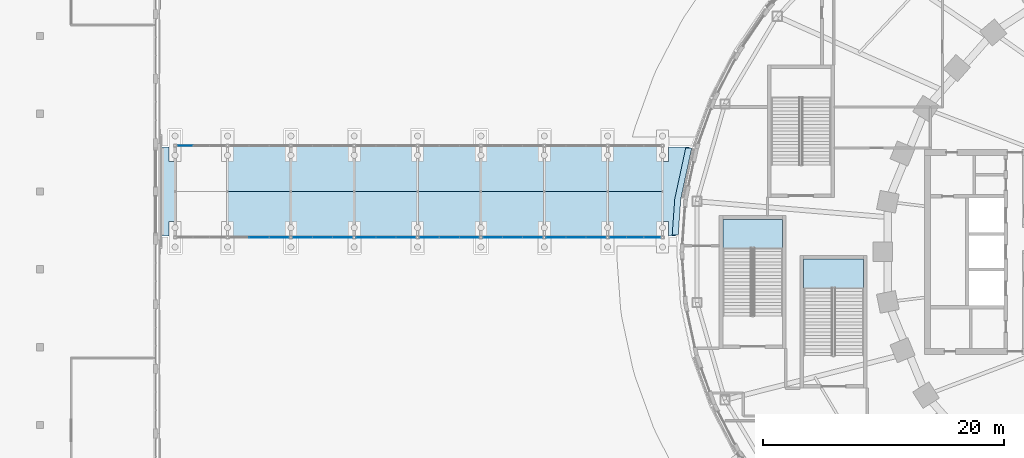
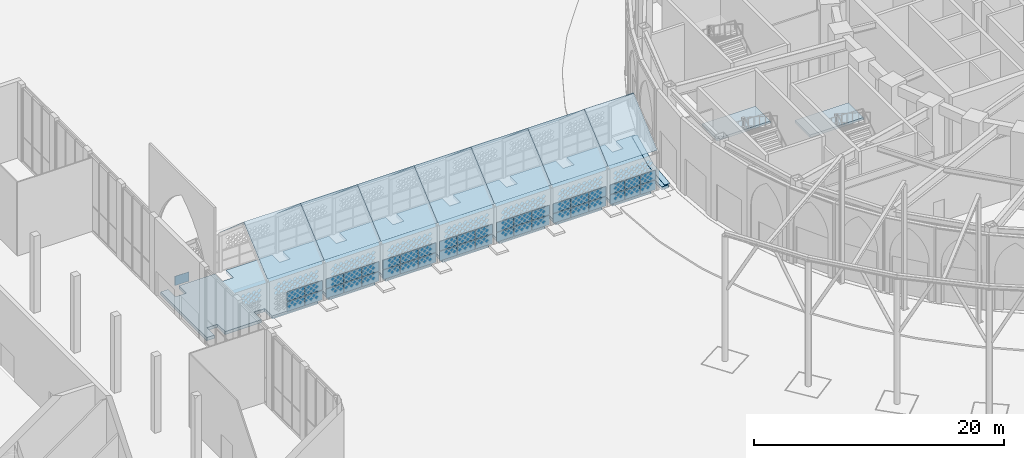
# One storey, part 34 of 79: 42 plates, 17 slabs, 10 elements without a shape of their own.
"""IFC4 building model written with IfcOpenShell, lengths in metres."""

from ifc_helpers import new_model, si_unit, direction, frame, origin, origin_2d, place, context, subcontext, project, spatial, polyline, rectangle, outline, extrude, material, layer, layer_set, type_object, element, aggregate, save


model = new_model("IFC4")

# Units and contexts
model_context = context("Model", 3, precision=1e-05, world=origin(), true_north=direction((0.0, 1.0)))
body_context = subcontext(model_context, "Body", "Model", "MODEL_VIEW")
ifc_project = project(units=[si_unit("LENGTHUNIT", "METRE"), si_unit("AREAUNIT", "SQUARE_METRE"), si_unit("VOLUMEUNIT", "CUBIC_METRE"), si_unit("PLANEANGLEUNIT", "RADIAN"), si_unit("MASSUNIT", "GRAM", prefix="KILO")], contexts=[model_context])

# Site, building, storey
site_placement = place(None, origin())
site = spatial("IfcSite", under=ifc_project, at=site_placement, CompositionType="ELEMENT")
building_placement = place(site_placement, origin())
building = spatial("IfcBuilding", under=site, at=building_placement, Name="Noorbagh Ring Tower", CompositionType="ELEMENT")
storey_placement = place(building_placement, origin())
storey = spatial("IfcBuildingStorey", under=building, at=storey_placement, Name="L00", CompositionType="ELEMENT", Elevation=0.0)

# Plate
ifc_material_1 = material(Name="Stainless steel cover plate", Category="steel")
ifc_layer_1 = layer(ifc_material_1, 0.014892578125)
ifc_layer_set_1 = layer_set([ifc_layer_1], Name="Stainless steel cover plate")
plate_type_1 = type_object("IfcPlateType", Name="AR-COVER", PredefinedType="SHEET", material=ifc_layer_set_1)
plate_1_placement = place(storey_placement, origin())
element("IfcPlate", 1, at=plate_1_placement, inside=storey, type_object=plate_type_1, Name="Movement joint cover plate east", PredefinedType="SHEET", context=body_context, shape_type="SweptSolid", body=[
    extrude(outline(polyline([(-52.18701171875, 4.383056640625), (-51.2783203125, 8.60009765625), (-50.7783203125, 8.60009765625), (-51.68701171875, 4.383056640625), (-51.89990234375, 1.39990234375), (-52.39990234375, 1.39990234375), (-52.18701171875, 4.383056640625)])), origin(), (0.0, 0.0, 1.0), 0.014892578125),
])

# Curtain wall, plate
ifc_material_2 = material(Name="Aluminium and glass", Category="aluminium")
ifc_layer_2 = layer(ifc_material_2, 0.10009765625)
ifc_layer_set_2 = layer_set([ifc_layer_2], Name="Aluminium and glass")
curtain_wall_type = type_object("IfcCurtainWallType", Name="AR-CW", PredefinedType="NOTDEFINED", material=ifc_layer_set_2)
curtain_wall_1_placement = place(storey_placement, origin())
curtain_wall_1 = element("IfcCurtainWall", 2, at=curtain_wall_1_placement, inside=storey, type_object=curtain_wall_type, Name="Arcade glazing", PredefinedType="NOTDEFINED")
ifc_material_3 = material(Name="Clear laminated glass", Category="glass")
ifc_layer_3 = layer(ifc_material_3, 0.02392578125)
ifc_layer_set_3 = layer_set([ifc_layer_3], Name="Clear laminated glass")
plate_type_2 = type_object("IfcPlateType", Name="AR-CW-PANEL", PredefinedType="CURTAIN_PANEL", material=ifc_layer_set_3)
plate_2_placement = place(storey_placement, frame((-92.779052734375, 8.800048828125, 0.0498046875), z_axis=(0.0, 0.0, 1.0), x_axis=(1.0, 0.0, 0.0)))
plate_2 = element("IfcPlate", 3, at=plate_2_placement, type_object=plate_type_2, Name="CW-A panel 1.1", PredefinedType="CURTAIN_PANEL", context=body_context, shape_type="SweptSolid", body=[
    extrude(rectangle(XDim=1.291748046875, YDim=0.02392578125, at=origin_2d()), origin(), (0.0, 0.0, 1.0), 0.925048828125),
])
aggregate(curtain_wall_1, [plate_2])

# Curtain wall, plates
curtain_wall_2_placement = place(storey_placement, origin())
curtain_wall_2 = element("IfcCurtainWall", 4, at=curtain_wall_2_placement, inside=storey, type_object=curtain_wall_type, Name="Arcade glazing", PredefinedType="NOTDEFINED")
plate_3_placement = place(storey_placement, frame((-86.625, 1.199951171875, 0.0498046875), z_axis=(0.0, 0.0, 1.0), x_axis=(1.0, 0.0, 0.0)))
plate_3 = element("IfcPlate", 5, at=plate_3_placement, type_object=plate_type_2, Name="CW-A panel 2.1", PredefinedType="CURTAIN_PANEL", context=body_context, shape_type="SweptSolid", body=[
    extrude(rectangle(XDim=1.61669921875, YDim=0.02392578125, at=origin_2d()), origin(), (0.0, 0.0, 1.0), 0.925048828125),
])
plate_4_placement = place(storey_placement, frame((-86.625, 1.199951171875, 1.02490234375), z_axis=(0.0, 0.0, 1.0), x_axis=(1.0, 0.0, 0.0)))
plate_4 = element("IfcPlate", 6, at=plate_4_placement, type_object=plate_type_2, Name="CW-A panel 2.2", PredefinedType="CURTAIN_PANEL", context=body_context, shape_type="SweptSolid", body=[
    extrude(rectangle(XDim=1.61669921875, YDim=0.02392578125, at=origin_2d()), origin(), (0.0, 0.0, 1.0), 0.925048828125),
])
plate_5_placement = place(storey_placement, frame((-84.970947265625, 1.199951171875, 0.0498046875), z_axis=(0.0, 0.0, 1.0), x_axis=(1.0, 0.0, 0.0)))
plate_5 = element("IfcPlate", 7, at=plate_5_placement, type_object=plate_type_2, Name="CW-A panel 3.1", PredefinedType="CURTAIN_PANEL", context=body_context, shape_type="SweptSolid", body=[
    extrude(rectangle(XDim=1.591552734375, YDim=0.02392578125, at=origin_2d()), origin(), (0.0, 0.0, 1.0), 0.925048828125),
])
plate_6_placement = place(storey_placement, frame((-84.970947265625, 1.199951171875, 1.02490234375), z_axis=(0.0, 0.0, 1.0), x_axis=(1.0, 0.0, 0.0)))
plate_6 = element("IfcPlate", 8, at=plate_6_placement, type_object=plate_type_2, Name="CW-A panel 3.2", PredefinedType="CURTAIN_PANEL", context=body_context, shape_type="SweptSolid", body=[
    extrude(rectangle(XDim=1.591552734375, YDim=0.02392578125, at=origin_2d()), origin(), (0.0, 0.0, 1.0), 0.925048828125),
])
aggregate(curtain_wall_2, [plate_3, plate_4, plate_5, plate_6])

curtain_wall_3_placement = place(storey_placement, origin())
curtain_wall_3 = element("IfcCurtainWall", 9, at=curtain_wall_3_placement, inside=storey, type_object=curtain_wall_type, Name="Arcade glazing", PredefinedType="NOTDEFINED")
plate_7_placement = place(storey_placement, frame((-83.029052734375, 1.199951171875, 0.0498046875), z_axis=(0.0, 0.0, 1.0), x_axis=(1.0, 0.0, 0.0)))
plate_7 = element("IfcPlate", 10, at=plate_7_placement, type_object=plate_type_2, Name="CW-A panel 1.1", PredefinedType="CURTAIN_PANEL", context=body_context, shape_type="SweptSolid", body=[
    extrude(rectangle(XDim=1.591552734375, YDim=0.02392578125, at=origin_2d()), origin(), (0.0, 0.0, 1.0), 0.925048828125),
])
plate_8_placement = place(storey_placement, frame((-83.029052734375, 1.199951171875, 1.02490234375), z_axis=(0.0, 0.0, 1.0), x_axis=(1.0, 0.0, 0.0)))
plate_8 = element("IfcPlate", 11, at=plate_8_placement, type_object=plate_type_2, Name="CW-A panel 1.2", PredefinedType="CURTAIN_PANEL", context=body_context, shape_type="SweptSolid", body=[
    extrude(rectangle(XDim=1.591552734375, YDim=0.02392578125, at=origin_2d()), origin(), (0.0, 0.0, 1.0), 0.925048828125),
])
plate_9_placement = place(storey_placement, frame((-81.375, 1.199951171875, 0.0498046875), z_axis=(0.0, 0.0, 1.0), x_axis=(1.0, 0.0, 0.0)))
plate_9 = element("IfcPlate", 12, at=plate_9_placement, type_object=plate_type_2, Name="CW-A panel 2.1", PredefinedType="CURTAIN_PANEL", context=body_context, shape_type="SweptSolid", body=[
    extrude(rectangle(XDim=1.61669921875, YDim=0.02392578125, at=origin_2d()), origin(), (0.0, 0.0, 1.0), 0.925048828125),
])
plate_10_placement = place(storey_placement, frame((-81.375, 1.199951171875, 1.02490234375), z_axis=(0.0, 0.0, 1.0), x_axis=(1.0, 0.0, 0.0)))
plate_10 = element("IfcPlate", 13, at=plate_10_placement, type_object=plate_type_2, Name="CW-A panel 2.2", PredefinedType="CURTAIN_PANEL", context=body_context, shape_type="SweptSolid", body=[
    extrude(rectangle(XDim=1.61669921875, YDim=0.02392578125, at=origin_2d()), origin(), (0.0, 0.0, 1.0), 0.925048828125),
])
plate_11_placement = place(storey_placement, frame((-79.720947265625, 1.199951171875, 0.0498046875), z_axis=(0.0, 0.0, 1.0), x_axis=(1.0, 0.0, 0.0)))
plate_11 = element("IfcPlate", 14, at=plate_11_placement, type_object=plate_type_2, Name="CW-A panel 3.1", PredefinedType="CURTAIN_PANEL", context=body_context, shape_type="SweptSolid", body=[
    extrude(rectangle(XDim=1.591552734375, YDim=0.02392578125, at=origin_2d()), origin(), (0.0, 0.0, 1.0), 0.925048828125),
])
plate_12_placement = place(storey_placement, frame((-79.720947265625, 1.199951171875, 1.02490234375), z_axis=(0.0, 0.0, 1.0), x_axis=(1.0, 0.0, 0.0)))
plate_12 = element("IfcPlate", 15, at=plate_12_placement, type_object=plate_type_2, Name="CW-A panel 3.2", PredefinedType="CURTAIN_PANEL", context=body_context, shape_type="SweptSolid", body=[
    extrude(rectangle(XDim=1.591552734375, YDim=0.02392578125, at=origin_2d()), origin(), (0.0, 0.0, 1.0), 0.925048828125),
])
aggregate(curtain_wall_3, [plate_7, plate_8, plate_9, plate_10, plate_11, plate_12])

curtain_wall_4_placement = place(storey_placement, origin())
curtain_wall_4 = element("IfcCurtainWall", 16, at=curtain_wall_4_placement, inside=storey, type_object=curtain_wall_type, Name="Arcade glazing", PredefinedType="NOTDEFINED")
plate_13_placement = place(storey_placement, frame((-77.779052734375, 1.199951171875, 0.0498046875), z_axis=(0.0, 0.0, 1.0), x_axis=(1.0, 0.0, 0.0)))
plate_13 = element("IfcPlate", 17, at=plate_13_placement, type_object=plate_type_2, Name="CW-A panel 1.1", PredefinedType="CURTAIN_PANEL", context=body_context, shape_type="SweptSolid", body=[
    extrude(rectangle(XDim=1.591552734375, YDim=0.02392578125, at=origin_2d()), origin(), (0.0, 0.0, 1.0), 0.925048828125),
])
plate_14_placement = place(storey_placement, frame((-77.779052734375, 1.199951171875, 1.02490234375), z_axis=(0.0, 0.0, 1.0), x_axis=(1.0, 0.0, 0.0)))
plate_14 = element("IfcPlate", 18, at=plate_14_placement, type_object=plate_type_2, Name="CW-A panel 1.2", PredefinedType="CURTAIN_PANEL", context=body_context, shape_type="SweptSolid", body=[
    extrude(rectangle(XDim=1.591552734375, YDim=0.02392578125, at=origin_2d()), origin(), (0.0, 0.0, 1.0), 0.925048828125),
])
plate_15_placement = place(storey_placement, frame((-76.125, 1.199951171875, 0.0498046875), z_axis=(0.0, 0.0, 1.0), x_axis=(1.0, 0.0, 0.0)))
plate_15 = element("IfcPlate", 19, at=plate_15_placement, type_object=plate_type_2, Name="CW-A panel 2.1", PredefinedType="CURTAIN_PANEL", context=body_context, shape_type="SweptSolid", body=[
    extrude(rectangle(XDim=1.61669921875, YDim=0.02392578125, at=origin_2d()), origin(), (0.0, 0.0, 1.0), 0.925048828125),
])
plate_16_placement = place(storey_placement, frame((-76.125, 1.199951171875, 1.02490234375), z_axis=(0.0, 0.0, 1.0), x_axis=(1.0, 0.0, 0.0)))
plate_16 = element("IfcPlate", 20, at=plate_16_placement, type_object=plate_type_2, Name="CW-A panel 2.2", PredefinedType="CURTAIN_PANEL", context=body_context, shape_type="SweptSolid", body=[
    extrude(rectangle(XDim=1.61669921875, YDim=0.02392578125, at=origin_2d()), origin(), (0.0, 0.0, 1.0), 0.925048828125),
])
plate_17_placement = place(storey_placement, frame((-74.470947265625, 1.199951171875, 0.0498046875), z_axis=(0.0, 0.0, 1.0), x_axis=(1.0, 0.0, 0.0)))
plate_17 = element("IfcPlate", 21, at=plate_17_placement, type_object=plate_type_2, Name="CW-A panel 3.1", PredefinedType="CURTAIN_PANEL", context=body_context, shape_type="SweptSolid", body=[
    extrude(rectangle(XDim=1.591552734375, YDim=0.02392578125, at=origin_2d()), origin(), (0.0, 0.0, 1.0), 0.925048828125),
])
plate_18_placement = place(storey_placement, frame((-74.470947265625, 1.199951171875, 1.02490234375), z_axis=(0.0, 0.0, 1.0), x_axis=(1.0, 0.0, 0.0)))
plate_18 = element("IfcPlate", 22, at=plate_18_placement, type_object=plate_type_2, Name="CW-A panel 3.2", PredefinedType="CURTAIN_PANEL", context=body_context, shape_type="SweptSolid", body=[
    extrude(rectangle(XDim=1.591552734375, YDim=0.02392578125, at=origin_2d()), origin(), (0.0, 0.0, 1.0), 0.925048828125),
])
aggregate(curtain_wall_4, [plate_13, plate_14, plate_15, plate_16, plate_17, plate_18])

curtain_wall_5_placement = place(storey_placement, origin())
curtain_wall_5 = element("IfcCurtainWall", 23, at=curtain_wall_5_placement, inside=storey, type_object=curtain_wall_type, Name="Arcade glazing", PredefinedType="NOTDEFINED")
plate_19_placement = place(storey_placement, frame((-72.529052734375, 1.199951171875, 0.0498046875), z_axis=(0.0, 0.0, 1.0), x_axis=(1.0, 0.0, 0.0)))
plate_19 = element("IfcPlate", 24, at=plate_19_placement, type_object=plate_type_2, Name="CW-A panel 1.1", PredefinedType="CURTAIN_PANEL", context=body_context, shape_type="SweptSolid", body=[
    extrude(rectangle(XDim=1.591552734375, YDim=0.02392578125, at=origin_2d()), origin(), (0.0, 0.0, 1.0), 0.925048828125),
])
plate_20_placement = place(storey_placement, frame((-72.529052734375, 1.199951171875, 1.02490234375), z_axis=(0.0, 0.0, 1.0), x_axis=(1.0, 0.0, 0.0)))
plate_20 = element("IfcPlate", 25, at=plate_20_placement, type_object=plate_type_2, Name="CW-A panel 1.2", PredefinedType="CURTAIN_PANEL", context=body_context, shape_type="SweptSolid", body=[
    extrude(rectangle(XDim=1.591552734375, YDim=0.02392578125, at=origin_2d()), origin(), (0.0, 0.0, 1.0), 0.925048828125),
])
plate_21_placement = place(storey_placement, frame((-70.875, 1.199951171875, 0.0498046875), z_axis=(0.0, 0.0, 1.0), x_axis=(1.0, 0.0, 0.0)))
plate_21 = element("IfcPlate", 26, at=plate_21_placement, type_object=plate_type_2, Name="CW-A panel 2.1", PredefinedType="CURTAIN_PANEL", context=body_context, shape_type="SweptSolid", body=[
    extrude(rectangle(XDim=1.61669921875, YDim=0.02392578125, at=origin_2d()), origin(), (0.0, 0.0, 1.0), 0.925048828125),
])
plate_22_placement = place(storey_placement, frame((-70.875, 1.199951171875, 1.02490234375), z_axis=(0.0, 0.0, 1.0), x_axis=(1.0, 0.0, 0.0)))
plate_22 = element("IfcPlate", 27, at=plate_22_placement, type_object=plate_type_2, Name="CW-A panel 2.2", PredefinedType="CURTAIN_PANEL", context=body_context, shape_type="SweptSolid", body=[
    extrude(rectangle(XDim=1.61669921875, YDim=0.02392578125, at=origin_2d()), origin(), (0.0, 0.0, 1.0), 0.925048828125),
])
plate_23_placement = place(storey_placement, frame((-69.220947265625, 1.199951171875, 0.0498046875), z_axis=(0.0, 0.0, 1.0), x_axis=(1.0, 0.0, 0.0)))
plate_23 = element("IfcPlate", 28, at=plate_23_placement, type_object=plate_type_2, Name="CW-A panel 3.1", PredefinedType="CURTAIN_PANEL", context=body_context, shape_type="SweptSolid", body=[
    extrude(rectangle(XDim=1.591552734375, YDim=0.02392578125, at=origin_2d()), origin(), (0.0, 0.0, 1.0), 0.925048828125),
])
plate_24_placement = place(storey_placement, frame((-69.220947265625, 1.199951171875, 1.02490234375), z_axis=(0.0, 0.0, 1.0), x_axis=(1.0, 0.0, 0.0)))
plate_24 = element("IfcPlate", 29, at=plate_24_placement, type_object=plate_type_2, Name="CW-A panel 3.2", PredefinedType="CURTAIN_PANEL", context=body_context, shape_type="SweptSolid", body=[
    extrude(rectangle(XDim=1.591552734375, YDim=0.02392578125, at=origin_2d()), origin(), (0.0, 0.0, 1.0), 0.925048828125),
])
aggregate(curtain_wall_5, [plate_19, plate_20, plate_21, plate_22, plate_23, plate_24])

curtain_wall_6_placement = place(storey_placement, origin())
curtain_wall_6 = element("IfcCurtainWall", 30, at=curtain_wall_6_placement, inside=storey, type_object=curtain_wall_type, Name="Arcade glazing", PredefinedType="NOTDEFINED")
plate_25_placement = place(storey_placement, frame((-67.279052734375, 1.199951171875, 0.0498046875), z_axis=(0.0, 0.0, 1.0), x_axis=(1.0, 0.0, 0.0)))
plate_25 = element("IfcPlate", 31, at=plate_25_placement, type_object=plate_type_2, Name="CW-A panel 1.1", PredefinedType="CURTAIN_PANEL", context=body_context, shape_type="SweptSolid", body=[
    extrude(rectangle(XDim=1.591552734375, YDim=0.02392578125, at=origin_2d()), origin(), (0.0, 0.0, 1.0), 0.925048828125),
])
plate_26_placement = place(storey_placement, frame((-67.279052734375, 1.199951171875, 1.02490234375), z_axis=(0.0, 0.0, 1.0), x_axis=(1.0, 0.0, 0.0)))
plate_26 = element("IfcPlate", 32, at=plate_26_placement, type_object=plate_type_2, Name="CW-A panel 1.2", PredefinedType="CURTAIN_PANEL", context=body_context, shape_type="SweptSolid", body=[
    extrude(rectangle(XDim=1.591552734375, YDim=0.02392578125, at=origin_2d()), origin(), (0.0, 0.0, 1.0), 0.925048828125),
])
plate_27_placement = place(storey_placement, frame((-65.625, 1.199951171875, 0.0498046875), z_axis=(0.0, 0.0, 1.0), x_axis=(1.0, 0.0, 0.0)))
plate_27 = element("IfcPlate", 33, at=plate_27_placement, type_object=plate_type_2, Name="CW-A panel 2.1", PredefinedType="CURTAIN_PANEL", context=body_context, shape_type="SweptSolid", body=[
    extrude(rectangle(XDim=1.61669921875, YDim=0.02392578125, at=origin_2d()), origin(), (0.0, 0.0, 1.0), 0.925048828125),
])
plate_28_placement = place(storey_placement, frame((-65.625, 1.199951171875, 1.02490234375), z_axis=(0.0, 0.0, 1.0), x_axis=(1.0, 0.0, 0.0)))
plate_28 = element("IfcPlate", 34, at=plate_28_placement, type_object=plate_type_2, Name="CW-A panel 2.2", PredefinedType="CURTAIN_PANEL", context=body_context, shape_type="SweptSolid", body=[
    extrude(rectangle(XDim=1.61669921875, YDim=0.02392578125, at=origin_2d()), origin(), (0.0, 0.0, 1.0), 0.925048828125),
])
plate_29_placement = place(storey_placement, frame((-63.970947265625, 1.199951171875, 0.0498046875), z_axis=(0.0, 0.0, 1.0), x_axis=(1.0, 0.0, 0.0)))
plate_29 = element("IfcPlate", 35, at=plate_29_placement, type_object=plate_type_2, Name="CW-A panel 3.1", PredefinedType="CURTAIN_PANEL", context=body_context, shape_type="SweptSolid", body=[
    extrude(rectangle(XDim=1.591552734375, YDim=0.02392578125, at=origin_2d()), origin(), (0.0, 0.0, 1.0), 0.925048828125),
])
plate_30_placement = place(storey_placement, frame((-63.970947265625, 1.199951171875, 1.02490234375), z_axis=(0.0, 0.0, 1.0), x_axis=(1.0, 0.0, 0.0)))
plate_30 = element("IfcPlate", 36, at=plate_30_placement, type_object=plate_type_2, Name="CW-A panel 3.2", PredefinedType="CURTAIN_PANEL", context=body_context, shape_type="SweptSolid", body=[
    extrude(rectangle(XDim=1.591552734375, YDim=0.02392578125, at=origin_2d()), origin(), (0.0, 0.0, 1.0), 0.925048828125),
])
aggregate(curtain_wall_6, [plate_25, plate_26, plate_27, plate_28, plate_29, plate_30])

curtain_wall_7_placement = place(storey_placement, origin())
curtain_wall_7 = element("IfcCurtainWall", 37, at=curtain_wall_7_placement, inside=storey, type_object=curtain_wall_type, Name="Arcade glazing", PredefinedType="NOTDEFINED")
plate_31_placement = place(storey_placement, frame((-62.029052734375, 1.199951171875, 0.0498046875), z_axis=(0.0, 0.0, 1.0), x_axis=(1.0, 0.0, 0.0)))
plate_31 = element("IfcPlate", 38, at=plate_31_placement, type_object=plate_type_2, Name="CW-A panel 1.1", PredefinedType="CURTAIN_PANEL", context=body_context, shape_type="SweptSolid", body=[
    extrude(rectangle(XDim=1.591552734375, YDim=0.02392578125, at=origin_2d()), origin(), (0.0, 0.0, 1.0), 0.925048828125),
])
plate_32_placement = place(storey_placement, frame((-62.029052734375, 1.199951171875, 1.02490234375), z_axis=(0.0, 0.0, 1.0), x_axis=(1.0, 0.0, 0.0)))
plate_32 = element("IfcPlate", 39, at=plate_32_placement, type_object=plate_type_2, Name="CW-A panel 1.2", PredefinedType="CURTAIN_PANEL", context=body_context, shape_type="SweptSolid", body=[
    extrude(rectangle(XDim=1.591552734375, YDim=0.02392578125, at=origin_2d()), origin(), (0.0, 0.0, 1.0), 0.925048828125),
])
plate_33_placement = place(storey_placement, frame((-60.375, 1.199951171875, 0.0498046875), z_axis=(0.0, 0.0, 1.0), x_axis=(1.0, 0.0, 0.0)))
plate_33 = element("IfcPlate", 40, at=plate_33_placement, type_object=plate_type_2, Name="CW-A panel 2.1", PredefinedType="CURTAIN_PANEL", context=body_context, shape_type="SweptSolid", body=[
    extrude(rectangle(XDim=1.61669921875, YDim=0.02392578125, at=origin_2d()), origin(), (0.0, 0.0, 1.0), 0.925048828125),
])
plate_34_placement = place(storey_placement, frame((-60.375, 1.199951171875, 1.02490234375), z_axis=(0.0, 0.0, 1.0), x_axis=(1.0, 0.0, 0.0)))
plate_34 = element("IfcPlate", 41, at=plate_34_placement, type_object=plate_type_2, Name="CW-A panel 2.2", PredefinedType="CURTAIN_PANEL", context=body_context, shape_type="SweptSolid", body=[
    extrude(rectangle(XDim=1.61669921875, YDim=0.02392578125, at=origin_2d()), origin(), (0.0, 0.0, 1.0), 0.925048828125),
])
plate_35_placement = place(storey_placement, frame((-58.720947265625, 1.199951171875, 0.0498046875), z_axis=(0.0, 0.0, 1.0), x_axis=(1.0, 0.0, 0.0)))
plate_35 = element("IfcPlate", 42, at=plate_35_placement, type_object=plate_type_2, Name="CW-A panel 3.1", PredefinedType="CURTAIN_PANEL", context=body_context, shape_type="SweptSolid", body=[
    extrude(rectangle(XDim=1.591552734375, YDim=0.02392578125, at=origin_2d()), origin(), (0.0, 0.0, 1.0), 0.925048828125),
])
plate_36_placement = place(storey_placement, frame((-58.720947265625, 1.199951171875, 1.02490234375), z_axis=(0.0, 0.0, 1.0), x_axis=(1.0, 0.0, 0.0)))
plate_36 = element("IfcPlate", 43, at=plate_36_placement, type_object=plate_type_2, Name="CW-A panel 3.2", PredefinedType="CURTAIN_PANEL", context=body_context, shape_type="SweptSolid", body=[
    extrude(rectangle(XDim=1.591552734375, YDim=0.02392578125, at=origin_2d()), origin(), (0.0, 0.0, 1.0), 0.925048828125),
])
aggregate(curtain_wall_7, [plate_31, plate_32, plate_33, plate_34, plate_35, plate_36])

curtain_wall_8_placement = place(storey_placement, origin())
curtain_wall_8 = element("IfcCurtainWall", 44, at=curtain_wall_8_placement, inside=storey, type_object=curtain_wall_type, Name="Arcade glazing", PredefinedType="NOTDEFINED")
plate_37_placement = place(storey_placement, frame((-56.895751953125, 1.199951171875, 0.0498046875), z_axis=(0.0, 0.0, 1.0), x_axis=(1.0, 0.0, 0.0)))
plate_37 = element("IfcPlate", 45, at=plate_37_placement, type_object=plate_type_2, Name="CW-A panel 1.1", PredefinedType="CURTAIN_PANEL", context=body_context, shape_type="SweptSolid", body=[
    extrude(rectangle(XDim=1.3583984375, YDim=0.02392578125, at=origin_2d()), origin(), (0.0, 0.0, 1.0), 0.925048828125),
])
plate_38_placement = place(storey_placement, frame((-56.895751953125, 1.199951171875, 1.02490234375), z_axis=(0.0, 0.0, 1.0), x_axis=(1.0, 0.0, 0.0)))
plate_38 = element("IfcPlate", 46, at=plate_38_placement, type_object=plate_type_2, Name="CW-A panel 1.2", PredefinedType="CURTAIN_PANEL", context=body_context, shape_type="SweptSolid", body=[
    extrude(rectangle(XDim=1.3583984375, YDim=0.02392578125, at=origin_2d()), origin(), (0.0, 0.0, 1.0), 0.925048828125),
])
plate_39_placement = place(storey_placement, frame((-55.47509765625, 1.199951171875, 0.0498046875), z_axis=(0.0, 0.0, 1.0), x_axis=(1.0, 0.0, 0.0)))
plate_39 = element("IfcPlate", 47, at=plate_39_placement, type_object=plate_type_2, Name="CW-A panel 2.1", PredefinedType="CURTAIN_PANEL", context=body_context, shape_type="SweptSolid", body=[
    extrude(rectangle(XDim=1.38330078125, YDim=0.02392578125, at=origin_2d()), origin(), (0.0, 0.0, 1.0), 0.925048828125),
])
plate_40_placement = place(storey_placement, frame((-55.47509765625, 1.199951171875, 1.02490234375), z_axis=(0.0, 0.0, 1.0), x_axis=(1.0, 0.0, 0.0)))
plate_40 = element("IfcPlate", 48, at=plate_40_placement, type_object=plate_type_2, Name="CW-A panel 2.2", PredefinedType="CURTAIN_PANEL", context=body_context, shape_type="SweptSolid", body=[
    extrude(rectangle(XDim=1.38330078125, YDim=0.02392578125, at=origin_2d()), origin(), (0.0, 0.0, 1.0), 0.925048828125),
])
plate_41_placement = place(storey_placement, frame((-54.05419921875, 1.199951171875, 0.0498046875), z_axis=(0.0, 0.0, 1.0), x_axis=(1.0, 0.0, 0.0)))
plate_41 = element("IfcPlate", 49, at=plate_41_placement, type_object=plate_type_2, Name="CW-A panel 3.1", PredefinedType="CURTAIN_PANEL", context=body_context, shape_type="SweptSolid", body=[
    extrude(rectangle(XDim=1.3583984375, YDim=0.02392578125, at=origin_2d()), origin(), (0.0, 0.0, 1.0), 0.925048828125),
])
plate_42_placement = place(storey_placement, frame((-54.05419921875, 1.199951171875, 1.02490234375), z_axis=(0.0, 0.0, 1.0), x_axis=(1.0, 0.0, 0.0)))
plate_42 = element("IfcPlate", 50, at=plate_42_placement, type_object=plate_type_2, Name="CW-A panel 3.2", PredefinedType="CURTAIN_PANEL", context=body_context, shape_type="SweptSolid", body=[
    extrude(rectangle(XDim=1.3583984375, YDim=0.02392578125, at=origin_2d()), origin(), (0.0, 0.0, 1.0), 0.925048828125),
])
aggregate(curtain_wall_8, [plate_37, plate_38, plate_39, plate_40, plate_41, plate_42])

# Slabs
ifc_material_4 = material(Name="Concrete C40/50", Category="concrete")
ifc_layer_4 = layer(ifc_material_4, 0.300048828125)
ifc_layer_set_4 = layer_set([ifc_layer_4], Name="Concrete C40/50")
slab_type_1 = type_object("IfcSlabType", Name="AR-FLOOR", PredefinedType="FLOOR", material=ifc_layer_set_4)
slab_1_placement = place(storey_placement, frame((0.0, 0.0, -0.300048828125)))
element("IfcSlab", 51, at=slab_1_placement, inside=storey, type_object=slab_type_1, Name="Arcade floor", PredefinedType="FLOOR", context=body_context, shape_type="SweptSolid", body=[
    extrude(outline(polyline([(-94.800048828125, 8.699951171875), (-94.10009765625, 8.699951171875), (-94.10009765625, 7.5), (-93.10009765625, 7.5), (-93.10009765625, 8.699951171875), (-89.75, 8.699951171875), (-89.75, 7.5), (-88.75, 7.5), (-88.75, 8.699951171875), (-84.5, 8.699951171875), (-84.5, 7.5), (-83.5, 7.5), (-83.5, 8.699951171875), (-79.25, 8.699951171875), (-79.25, 7.5), (-78.25, 7.5), (-78.25, 8.699951171875), (-74.0, 8.699951171875), (-74.0, 7.5), (-73.0, 7.5), (-73.0, 8.699951171875), (-68.75, 8.699951171875), (-68.75, 7.5), (-67.75, 7.5), (-67.75, 8.699951171875), (-63.5, 8.699951171875), (-63.5, 7.5), (-62.5, 7.5), (-62.5, 8.699951171875), (-58.25, 8.699951171875), (-58.25, 7.5), (-57.25, 7.5), (-57.25, 8.699951171875), (-53.699951171875, 8.699951171875), (-53.699951171875, 7.5), (-52.699951171875, 7.5), (-52.699951171875, 8.699951171875), (-50.95361328125, 8.699951171875), (-50.961181640625, 8.6787109375), (-51.886962890625, 4.383056640625), (-52.107177734375, 1.300048828125), (-52.699951171875, 1.300048828125), (-52.699951171875, 2.5), (-53.699951171875, 2.5), (-53.699951171875, 1.300048828125), (-57.25, 1.300048828125), (-57.25, 2.5), (-58.25, 2.5), (-58.25, 1.300048828125), (-62.5, 1.300048828125), (-62.5, 2.5), (-63.5, 2.5), (-63.5, 1.300048828125), (-67.75, 1.300048828125), (-67.75, 2.5), (-68.75, 2.5), (-68.75, 1.300048828125), (-73.0, 1.300048828125), (-73.0, 2.5), (-74.0, 2.5), (-74.0, 1.300048828125), (-78.25, 1.300048828125), (-78.25, 2.5), (-79.25, 2.5), (-79.25, 1.300048828125), (-83.5, 1.300048828125), (-83.5, 2.5), (-84.5, 2.5), (-84.5, 1.300048828125), (-88.75, 1.300048828125), (-88.75, 2.5), (-89.75, 2.5), (-89.75, 1.300048828125), (-93.10009765625, 1.300048828125), (-93.10009765625, 2.5), (-94.10009765625, 2.5), (-94.10009765625, 1.300048828125), (-94.800048828125, 1.300048828125), (-94.800048828125, 8.699951171875)])), origin(), (0.0, 0.0, 1.0), 0.300048828125),
])
ifc_material_5 = material(Name="Laminated glass", Category="glass")
ifc_layer_5 = layer(ifc_material_5, 0.030029296875)
ifc_layer_set_5 = layer_set([ifc_layer_5], Name="Laminated glass")
slab_type_2 = type_object("IfcSlabType", Name="AR-ROOF-GLASS", PredefinedType="ROOF", material=ifc_layer_set_5)
slab_2_placement = place(storey_placement, frame((-89.24951171875, 1.199951171875, 3.83837890625), z_axis=(0.0, -0.655687383167, 0.755032486424), x_axis=(1.0, 0.0, 0.0)))
element("IfcSlab", 52, at=slab_2_placement, inside=storey, type_object=slab_type_2, Name="Arcade roof glass", PredefinedType="ROOF", context=body_context, shape_type="SweptSolid", body=[
    extrude(outline(polyline([(0.0, 0.0), (5.2490234375, 0.0), (5.2490234375, 5.032960695668443), (0.0, 5.032960695668443), (0.0, 0.0)])), origin(), (0.0, 0.0, -1.0), 0.030029296875),
])
slab_3_placement = place(storey_placement, frame((-89.24951171875, 8.800048828125, 3.83837890625), z_axis=(0.0, 0.655687383167, 0.755032486424), x_axis=(1.0, 0.0, 0.0)))
element("IfcSlab", 53, at=slab_3_placement, inside=storey, type_object=slab_type_2, Name="Arcade roof glass", PredefinedType="ROOF", context=body_context, shape_type="SweptSolid", body=[
    extrude(outline(polyline([(0.0, 0.0), (5.2490234375, 0.0), (5.2490234375, -5.032960695668443), (0.0, -5.032960695668443), (0.0, 0.0)])), origin(), (0.0, 0.0, -1.0), 0.030029296875),
])
slab_4_placement = place(storey_placement, frame((-83.99951171875, 1.199951171875, 3.83837890625), z_axis=(0.0, -0.655687383167, 0.755032486424), x_axis=(1.0, 0.0, 0.0)))
element("IfcSlab", 54, at=slab_4_placement, inside=storey, type_object=slab_type_2, Name="Arcade roof glass", PredefinedType="ROOF", context=body_context, shape_type="SweptSolid", body=[
    extrude(outline(polyline([(0.0, 0.0), (5.2490234375, 0.0), (5.2490234375, 5.032960695668443), (0.0, 5.032960695668443), (0.0, 0.0)])), origin(), (0.0, 0.0, -1.0), 0.030029296875),
])
slab_5_placement = place(storey_placement, frame((-83.99951171875, 8.800048828125, 3.83837890625), z_axis=(0.0, 0.655687383167, 0.755032486424), x_axis=(1.0, 0.0, 0.0)))
element("IfcSlab", 55, at=slab_5_placement, inside=storey, type_object=slab_type_2, Name="Arcade roof glass", PredefinedType="ROOF", context=body_context, shape_type="SweptSolid", body=[
    extrude(outline(polyline([(0.0, 0.0), (5.2490234375, 0.0), (5.2490234375, -5.032960695668443), (0.0, -5.032960695668443), (0.0, 0.0)])), origin(), (0.0, 0.0, -1.0), 0.030029296875),
])
slab_6_placement = place(storey_placement, frame((-78.74951171875, 1.199951171875, 3.83837890625), z_axis=(0.0, -0.655687383167, 0.755032486424), x_axis=(1.0, 0.0, 0.0)))
element("IfcSlab", 56, at=slab_6_placement, inside=storey, type_object=slab_type_2, Name="Arcade roof glass", PredefinedType="ROOF", context=body_context, shape_type="SweptSolid", body=[
    extrude(outline(polyline([(0.0, 0.0), (5.2490234375, 0.0), (5.2490234375, 5.032960695668443), (0.0, 5.032960695668443), (0.0, 0.0)])), origin(), (0.0, 0.0, -1.0), 0.030029296875),
])
slab_7_placement = place(storey_placement, frame((-78.74951171875, 8.800048828125, 3.83837890625), z_axis=(0.0, 0.655687383167, 0.755032486424), x_axis=(1.0, 0.0, 0.0)))
element("IfcSlab", 57, at=slab_7_placement, inside=storey, type_object=slab_type_2, Name="Arcade roof glass", PredefinedType="ROOF", context=body_context, shape_type="SweptSolid", body=[
    extrude(outline(polyline([(0.0, 0.0), (5.2490234375, 0.0), (5.2490234375, -5.032960695668443), (0.0, -5.032960695668443), (0.0, 0.0)])), origin(), (0.0, 0.0, -1.0), 0.030029296875),
])
slab_8_placement = place(storey_placement, frame((-73.49951171875, 1.199951171875, 3.83837890625), z_axis=(0.0, -0.655687383167, 0.755032486424), x_axis=(1.0, 0.0, 0.0)))
element("IfcSlab", 58, at=slab_8_placement, inside=storey, type_object=slab_type_2, Name="Arcade roof glass", PredefinedType="ROOF", context=body_context, shape_type="SweptSolid", body=[
    extrude(outline(polyline([(0.0, 0.0), (5.2490234375, 0.0), (5.2490234375, 5.032960695668443), (0.0, 5.032960695668443), (0.0, 0.0)])), origin(), (0.0, 0.0, -1.0), 0.030029296875),
])
slab_9_placement = place(storey_placement, frame((-73.49951171875, 8.800048828125, 3.83837890625), z_axis=(0.0, 0.655687383167, 0.755032486424), x_axis=(1.0, 0.0, 0.0)))
element("IfcSlab", 59, at=slab_9_placement, inside=storey, type_object=slab_type_2, Name="Arcade roof glass", PredefinedType="ROOF", context=body_context, shape_type="SweptSolid", body=[
    extrude(outline(polyline([(0.0, 0.0), (5.2490234375, 0.0), (5.2490234375, -5.032960695668443), (0.0, -5.032960695668443), (0.0, 0.0)])), origin(), (0.0, 0.0, -1.0), 0.030029296875),
])
slab_10_placement = place(storey_placement, frame((-68.24951171875, 1.199951171875, 3.83837890625), z_axis=(0.0, -0.655687383167, 0.755032486424), x_axis=(1.0, 0.0, 0.0)))
element("IfcSlab", 60, at=slab_10_placement, inside=storey, type_object=slab_type_2, Name="Arcade roof glass", PredefinedType="ROOF", context=body_context, shape_type="SweptSolid", body=[
    extrude(outline(polyline([(0.0, 0.0), (5.2490234375, 0.0), (5.2490234375, 5.032960695668443), (0.0, 5.032960695668443), (0.0, 0.0)])), origin(), (0.0, 0.0, -1.0), 0.030029296875),
])
slab_11_placement = place(storey_placement, frame((-68.24951171875, 8.800048828125, 3.83837890625), z_axis=(0.0, 0.655687383167, 0.755032486424), x_axis=(1.0, 0.0, 0.0)))
element("IfcSlab", 61, at=slab_11_placement, inside=storey, type_object=slab_type_2, Name="Arcade roof glass", PredefinedType="ROOF", context=body_context, shape_type="SweptSolid", body=[
    extrude(outline(polyline([(0.0, 0.0), (5.2490234375, 0.0), (5.2490234375, -5.032960695668443), (0.0, -5.032960695668443), (0.0, 0.0)])), origin(), (0.0, 0.0, -1.0), 0.030029296875),
])
slab_12_placement = place(storey_placement, frame((-62.99951171875, 1.199951171875, 3.83837890625), z_axis=(0.0, -0.655687383167, 0.755032486424), x_axis=(1.0, 0.0, 0.0)))
element("IfcSlab", 62, at=slab_12_placement, inside=storey, type_object=slab_type_2, Name="Arcade roof glass", PredefinedType="ROOF", context=body_context, shape_type="SweptSolid", body=[
    extrude(outline(polyline([(0.0, 0.0), (5.2490234375, 0.0), (5.2490234375, 5.032960695668443), (0.0, 5.032960695668443), (0.0, 0.0)])), origin(), (0.0, 0.0, -1.0), 0.030029296875),
])
slab_13_placement = place(storey_placement, frame((-62.99951171875, 8.800048828125, 3.83837890625), z_axis=(0.0, 0.655687383167, 0.755032486424), x_axis=(1.0, 0.0, 0.0)))
element("IfcSlab", 63, at=slab_13_placement, inside=storey, type_object=slab_type_2, Name="Arcade roof glass", PredefinedType="ROOF", context=body_context, shape_type="SweptSolid", body=[
    extrude(outline(polyline([(0.0, 0.0), (5.2490234375, 0.0), (5.2490234375, -5.032960695668443), (0.0, -5.032960695668443), (0.0, 0.0)])), origin(), (0.0, 0.0, -1.0), 0.030029296875),
])
slab_14_placement = place(storey_placement, frame((-57.74951171875, 1.199951171875, 3.83837890625), z_axis=(0.0, -0.655687383167, 0.755032486424), x_axis=(1.0, 0.0, 0.0)))
element("IfcSlab", 64, at=slab_14_placement, inside=storey, type_object=slab_type_2, Name="Arcade roof glass", PredefinedType="ROOF", context=body_context, shape_type="SweptSolid", body=[
    extrude(outline(polyline([(0.0, 0.0), (4.549072265625, 0.0), (4.549072265625, 5.032960695668443), (0.0, 5.032960695668443), (0.0, 0.0)])), origin(), (0.0, 0.0, -1.0), 0.030029296875),
])
slab_15_placement = place(storey_placement, frame((-57.74951171875, 8.800048828125, 3.83837890625), z_axis=(0.0, 0.655687383167, 0.755032486424), x_axis=(1.0, 0.0, 0.0)))
element("IfcSlab", 65, at=slab_15_placement, inside=storey, type_object=slab_type_2, Name="Arcade roof glass", PredefinedType="ROOF", context=body_context, shape_type="SweptSolid", body=[
    extrude(outline(polyline([(0.0, 0.0), (4.549072265625, 0.0), (4.549072265625, -5.032960695668443), (0.0, -5.032960695668443), (0.0, 0.0)])), origin(), (0.0, 0.0, -1.0), 0.030029296875),
])

# Stair, slab
ifc_material_6 = material(Name="Concrete C40/50", Category="concrete")
stair_type = type_object("IfcStairType", Name="GND-STAIR", PredefinedType="HALF_TURN_STAIR", material=ifc_material_6)
stair_1_placement = place(storey_placement, origin())
stair_1 = element("IfcStair", 66, at=stair_1_placement, inside=storey, type_object=stair_type, Name="L00 exit stair ST-P1", PredefinedType="HALF_TURN_STAIR")
ifc_material_7 = material(Name="Concrete C40/50", Category="concrete")
ifc_layer_6 = layer(ifc_material_7, 0.25)
ifc_layer_set_6 = layer_set([ifc_layer_6], Name="Concrete C40/50")
slab_type_3 = type_object("IfcSlabType", Name="GND-STAIR-LANDING", PredefinedType="LANDING", material=ifc_layer_set_6)
slab_16_placement = place(storey_placement, frame((0.0, 0.0, 3.5)))
slab_16 = element("IfcSlab", 67, at=slab_16_placement, type_object=slab_type_3, Name="ST-P1 landing 1", PredefinedType="LANDING", context=body_context, shape_type="SweptSolid", body=[
    extrude(outline(polyline([(-36.550048828125, -3.0), (-36.550048828125, -0.60009765625), (-41.5, -0.60009765625), (-41.5, -3.0), (-36.550048828125, -3.0)])), origin(), (0.0, 0.0, 1.0), 0.25),
])
aggregate(stair_1, [slab_16])

stair_2_placement = place(storey_placement, origin())
stair_2 = element("IfcStair", 68, at=stair_2_placement, inside=storey, type_object=stair_type, Name="L00 exit stair ST-P3", PredefinedType="HALF_TURN_STAIR")
slab_17_placement = place(storey_placement, frame((0.0, 0.0, 3.5)))
slab_17 = element("IfcSlab", 69, at=slab_17_placement, type_object=slab_type_3, Name="ST-P3 landing 1", PredefinedType="LANDING", context=body_context, shape_type="SweptSolid", body=[
    extrude(outline(polyline([(-43.25, 0.300048828125), (-43.25, 2.699951171875), (-48.199951171875, 2.699951171875), (-48.199951171875, 0.300048828125), (-43.25, 0.300048828125)])), origin(), (0.0, 0.0, 1.0), 0.25),
])
aggregate(stair_2, [slab_17])

save(model, "model.ifc")
